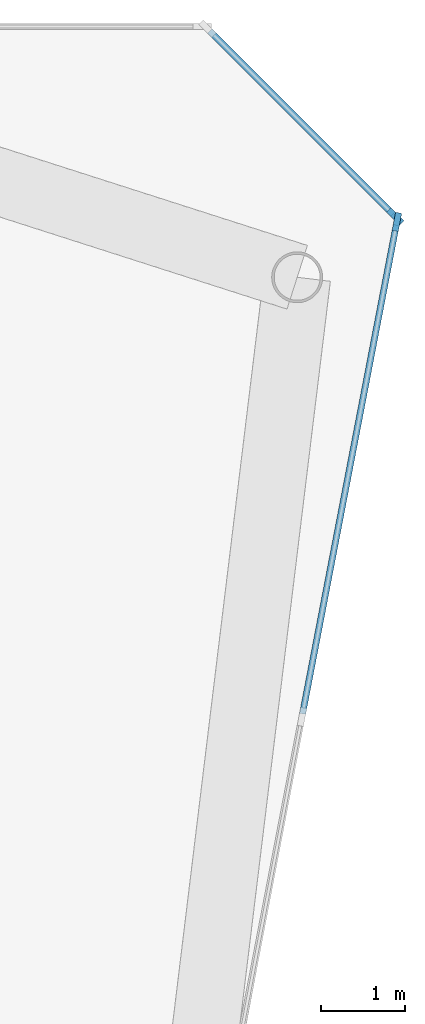
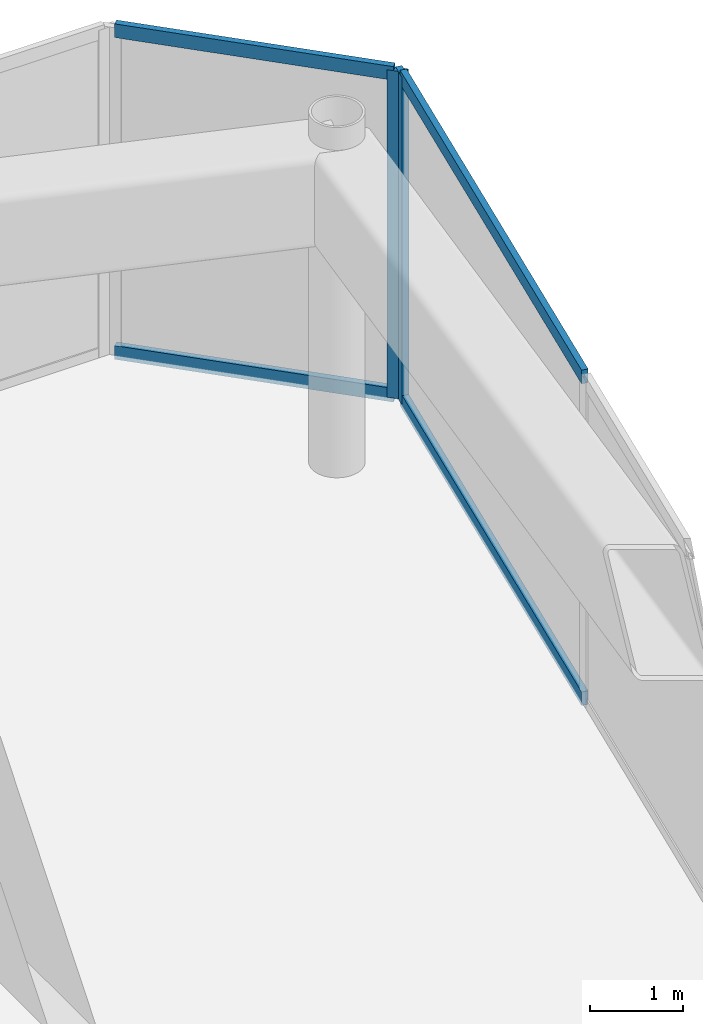
# One storey, part 6 of 14: 6 members, 2 elements without a shape of their own.
"""IFC4 building model written with IfcOpenShell, lengths in metres."""

from ifc_helpers import new_model, si_unit, direction, frame, origin, origin_2d, place, context, subcontext, project, spatial, rectangle, extrude, source, transform, mapped, material, layer, layer_set, material_profile, profile_set, type_object, element, aggregate, save


model = new_model("IFC4")

# Units and contexts
model_context = context("Model", 3, precision=1e-05, world=origin(), true_north=direction((0.0, 1.0)))
body_context = subcontext(model_context, "Body", "Model", "MODEL_VIEW")
ifc_project = project(units=[si_unit("LENGTHUNIT", "METRE"), si_unit("AREAUNIT", "SQUARE_METRE"), si_unit("VOLUMEUNIT", "CUBIC_METRE"), si_unit("PLANEANGLEUNIT", "RADIAN"), si_unit("MASSUNIT", "GRAM", prefix="KILO")], contexts=[model_context])

# Site, building, storey
site_placement = place(None, origin())
site = spatial("IfcSite", under=ifc_project, at=site_placement, CompositionType="ELEMENT")
building_placement = place(site_placement, origin())
building = spatial("IfcBuilding", under=site, at=building_placement, Name="Vaeldorn Concourse Tower", CompositionType="ELEMENT")
storey_placement = place(building_placement, frame((0.0, 0.0, 303.800048828125)))
storey = spatial("IfcBuildingStorey", under=building, at=storey_placement, Name="L78", CompositionType="ELEMENT", Elevation=303.800048828125)

# Curtain wall, members
ifc_material = material(Name="Anodised Bronze Aluminium", Category="aluminium")
ifc_layer = layer(ifc_material, 0.22998046875)
ifc_layer_set = layer_set([ifc_layer], Name="Anodised Bronze Aluminium")
curtain_wall_type = type_object("IfcCurtainWallType", Name="CW-SYS-07", PredefinedType="NOTDEFINED", material=ifc_layer_set)
curtain_wall_1_placement = place(storey_placement, origin())
curtain_wall_1 = element("IfcCurtainWall", 1, at=curtain_wall_1_placement, inside=storey, type_object=curtain_wall_type, Name="Unitised Curtain Wall CW-L78-E04-1", PredefinedType="NOTDEFINED")
ifc_material_profile_1 = material_profile(ifc_material, rectangle(XDim=0.074951171875, YDim=0.179931640625, at=origin_2d()), Name="CWT 75x180")
ifc_profile_set_1 = profile_set([ifc_material_profile_1], Name="Anodised Bronze Aluminium")
member_type_1 = type_object("IfcMemberType", Name="CWT-BRONZE-180", PredefinedType="USERDEFINED", material=ifc_profile_set_1)
shared_shape_1 = source(origin(), body_context, "Body", "SweptSolid", [
    extrude(rectangle(XDim=0.074951171875, YDim=0.179931640625, at=origin_2d()), origin(), (0.0, 0.0, 1.0), 3.10302734375),
])
member_1_placement = place(storey_placement, frame((62.947021484375, 48.7529296875, 0.037353515625), z_axis=(-0.707106781187, 0.707106781187, 0.0), x_axis=(-0.707106781187, -0.707106781187, 0.0)))
member_1 = element("IfcMember", 2, at=member_1_placement, type_object=member_type_1, Name="CW-07 transom 1.1", ObjectType="TRANSOM", PredefinedType="USERDEFINED", context=body_context, shape_type="MappedRepresentation", body=[
    mapped(shared_shape_1, transform((0.0, 0.0, 0.0), scale=1.0)),
])
member_2_placement = place(storey_placement, frame((62.947021484375, 48.7529296875, 4.262451171875), z_axis=(-0.707106781187, 0.707106781187, 0.0), x_axis=(-0.707106781187, -0.707106781187, 0.0)))
member_2 = element("IfcMember", 3, at=member_2_placement, type_object=member_type_1, Name="CW-07 transom 1.2", ObjectType="TRANSOM", PredefinedType="USERDEFINED", context=body_context, shape_type="MappedRepresentation", body=[
    mapped(shared_shape_1, transform((0.0, 0.0, 0.0), scale=1.0)),
])

# Curtain wall, member
curtain_wall_2_placement = place(storey_placement, origin())
curtain_wall_2 = element("IfcCurtainWall", 4, at=curtain_wall_2_placement, inside=storey, type_object=curtain_wall_type, Name="Unitised Curtain Wall CW-L78-E03-2", PredefinedType="NOTDEFINED")
ifc_material_profile_2 = material_profile(ifc_material, rectangle(XDim=0.074951171875, YDim=0.219970703125, at=origin_2d()), Name="CWM 75x220")
ifc_profile_set_2 = profile_set([ifc_material_profile_2], Name="Anodised Bronze Aluminium")
member_type_2 = type_object("IfcMemberType", Name="CWM-BRONZE-220", PredefinedType="MULLION", material=ifc_profile_set_2)
shared_shape_2 = source(origin(), body_context, "Body", "SweptSolid", [
    extrude(rectangle(XDim=0.074951171875, YDim=0.219970703125, at=origin_2d()), origin(), (0.0, 0.0, 1.0), 4.300048828125),
])
member_3_placement = place(storey_placement, frame((62.992919921875, 48.6630859375, 0.0), z_axis=(0.0, 0.0, 1.0), x_axis=(-0.982112384192, 0.188295684539, 0.0)))
member_3 = element("IfcMember", 5, at=member_3_placement, type_object=member_type_2, Name="CW-07 mullion 3", PredefinedType="MULLION", context=body_context, shape_type="MappedRepresentation", body=[
    mapped(shared_shape_2, transform((0.0, 0.0, 0.0), scale=1.0)),
])

# Member
member_4_placement = place(storey_placement, frame((62.973388671875, 48.7265625, 0.0), z_axis=(0.0, 0.0, 1.0), x_axis=(-0.707106781187, -0.707106781187, 0.0)))
member_4 = element("IfcMember", 6, at=member_4_placement, type_object=member_type_2, Name="CW-07 mullion 1", PredefinedType="MULLION", context=body_context, shape_type="MappedRepresentation", body=[
    mapped(shared_shape_2, transform((0.0, 0.0, 0.0), scale=1.0)),
])

aggregate(curtain_wall_1, [member_4, member_1, member_2])

shared_shape_3 = source(origin(), body_context, "Body", "SweptSolid", [
    extrude(rectangle(XDim=0.074951171875, YDim=0.179931640625, at=origin_2d()), origin(), (0.0, 0.0, 1.0), 5.954833984375),
])
member_5_placement = place(storey_placement, frame((61.864501953125, 42.77783203125, 0.037353515625), z_axis=(0.188304504834, 0.982110693078, 0.0), x_axis=(-0.982110693078, 0.188304504834, 0.0)))
member_5 = element("IfcMember", 7, at=member_5_placement, type_object=member_type_1, Name="CW-07 transom 2.1", ObjectType="TRANSOM", PredefinedType="USERDEFINED", context=body_context, shape_type="MappedRepresentation", body=[
    mapped(shared_shape_3, transform((0.0, 0.0, 0.0), scale=1.0)),
])

member_6_placement = place(storey_placement, frame((61.864501953125, 42.77783203125, 4.262451171875), z_axis=(0.188304504834, 0.982110693078, 0.0), x_axis=(-0.982110693078, 0.188304504834, 0.0)))
member_6 = element("IfcMember", 8, at=member_6_placement, type_object=member_type_1, Name="CW-07 transom 2.2", ObjectType="TRANSOM", PredefinedType="USERDEFINED", context=body_context, shape_type="MappedRepresentation", body=[
    mapped(shared_shape_3, transform((0.0, 0.0, 0.0), scale=1.0)),
])

aggregate(curtain_wall_2, [member_3, member_5, member_6])

save(model, "model.ifc")
